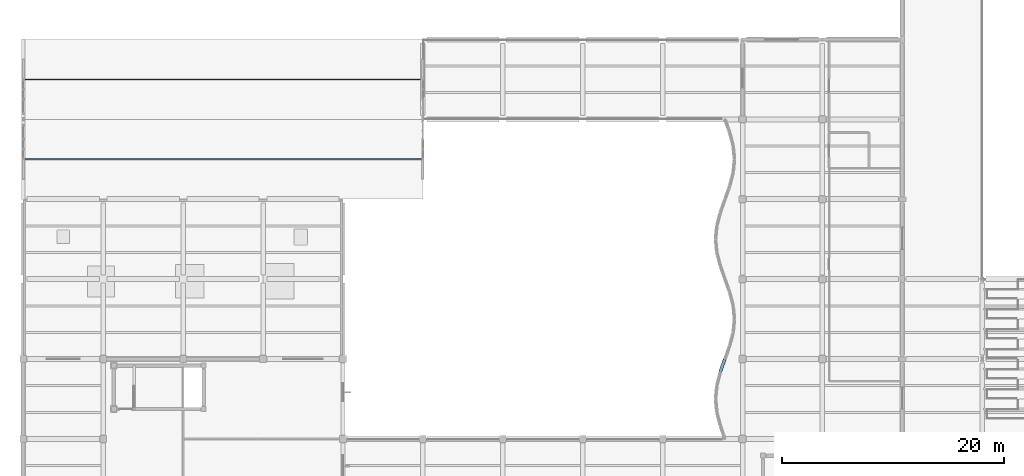
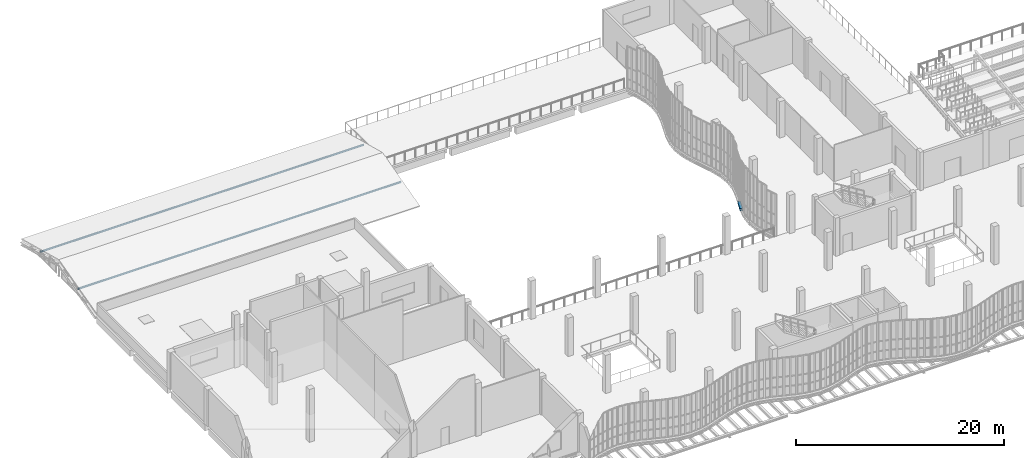
# One storey, part 18 of 105: 2 members, 1 beam.
"""IFC4 building model written with IfcOpenShell, lengths in metres."""

from ifc_helpers import new_model, si_unit, direction, frame, origin, origin_2d, place, context, subcontext, project, spatial, i_section, extrude, material, material_profile, profile_set, type_object, element, save


model = new_model("IFC4")

# Units and contexts
model_context = context("Model", 3, precision=1e-05, world=origin(), true_north=direction((0.0, 1.0)))
body_context = subcontext(model_context, "Body", "Model", "MODEL_VIEW")
ifc_project = project(units=[si_unit("LENGTHUNIT", "METRE"), si_unit("AREAUNIT", "SQUARE_METRE"), si_unit("VOLUMEUNIT", "CUBIC_METRE"), si_unit("PLANEANGLEUNIT", "RADIAN"), si_unit("MASSUNIT", "GRAM", prefix="KILO"), si_unit("THERMODYNAMICTEMPERATUREUNIT", "KELVIN"), si_unit("POWERUNIT", "WATT")], contexts=[model_context])

# Site, building, storey
site_placement = place(None, origin())
site = spatial("IfcSite", under=ifc_project, at=site_placement, CompositionType="ELEMENT")
building_placement = place(site_placement, origin())
building = spatial("IfcBuilding", under=site, at=building_placement, Name="Kaldorven Railside Theatre", CompositionType="ELEMENT")
storey_placement = place(building_placement, frame((0.0, 0.0, 9.89990234375)))
storey = spatial("IfcBuildingStorey", under=building, at=storey_placement, Name="L02", CompositionType="ELEMENT", Elevation=9.89990234375)

# Beam
ifc_material = material(Name="Steel S355", Category="steel")
ifc_material_profile_1 = material_profile(ifc_material, i_section(OverallWidth=0.280029296875, OverallDepth=0.280029296875, WebThickness=0.010498046875, FlangeThickness=0.01806640625, at=origin_2d()), Name="HEB 280")
ifc_profile_set_1 = profile_set([ifc_material_profile_1], Name="Steel S355")
beam_type = type_object("IfcBeamType", Name="BM-HEB280", PredefinedType="SPANDREL", material=ifc_profile_set_1)
beam_placement = place(storey_placement, frame((70.780029296875, 46.814208984375, -0.389892578125), z_axis=(0.333908952671, 0.942605331688, 0.0), x_axis=(-0.942605331688, 0.333908952671, 0.0)))
element("IfcBeam", 1, at=beam_placement, inside=storey, type_object=beam_type, Name="L02 Sinusoidal Flute Edge Spandrel FSB-246", PredefinedType="SPANDREL", context=body_context, shape_type="SweptSolid", body=[
    extrude(i_section(OverallWidth=0.280029296875, OverallDepth=0.280029296875, WebThickness=0.010498046875, FlangeThickness=0.01806640625, at=origin_2d()), origin(), (0.0, 0.0, 1.0), 1.242919921875),
])

# Members
ifc_material_profile_2 = material_profile(ifc_material, i_section(OverallWidth=0.10009765625, OverallDepth=0.199951171875, WebThickness=0.005615234375, FlangeThickness=0.008544921875, at=origin_2d()), Name="IPE 200")
ifc_profile_set_2 = profile_set([ifc_material_profile_2], Name="Steel S355")
member_type = type_object("IfcMemberType", Name="MEM-IPE200", PredefinedType="PURLIN", material=ifc_profile_set_2)
for number, where, z_axis, x_axis, name in (
    (2, (8.0, 66.0, 0.6396484375), (1.0, 0.0, 0.0), (0.0, 1.0, 0.0), "Black-Box Dual-Pitch Roof Purlin PRL-059"),
    (3, (8.0, 73.199951171875, 0.6396484375), (1.0, 0.0, 0.0), (0.0, 1.0, 0.0), "Black-Box Dual-Pitch Roof Purlin PRL-060"),
):
    element("IfcMember", number, at=place(storey_placement, frame(where, z_axis=z_axis, x_axis=x_axis)), inside=storey, type_object=member_type, Name=name, PredefinedType="PURLIN", context=body_context, shape_type="SweptSolid", body=[
        extrude(i_section(OverallWidth=0.10009765625, OverallDepth=0.199951171875, WebThickness=0.005615234375, FlangeThickness=0.008544921875, at=origin_2d()), origin(), (0.0, 0.0, 1.0), 36.0),
    ])

save(model, "model.ifc")
